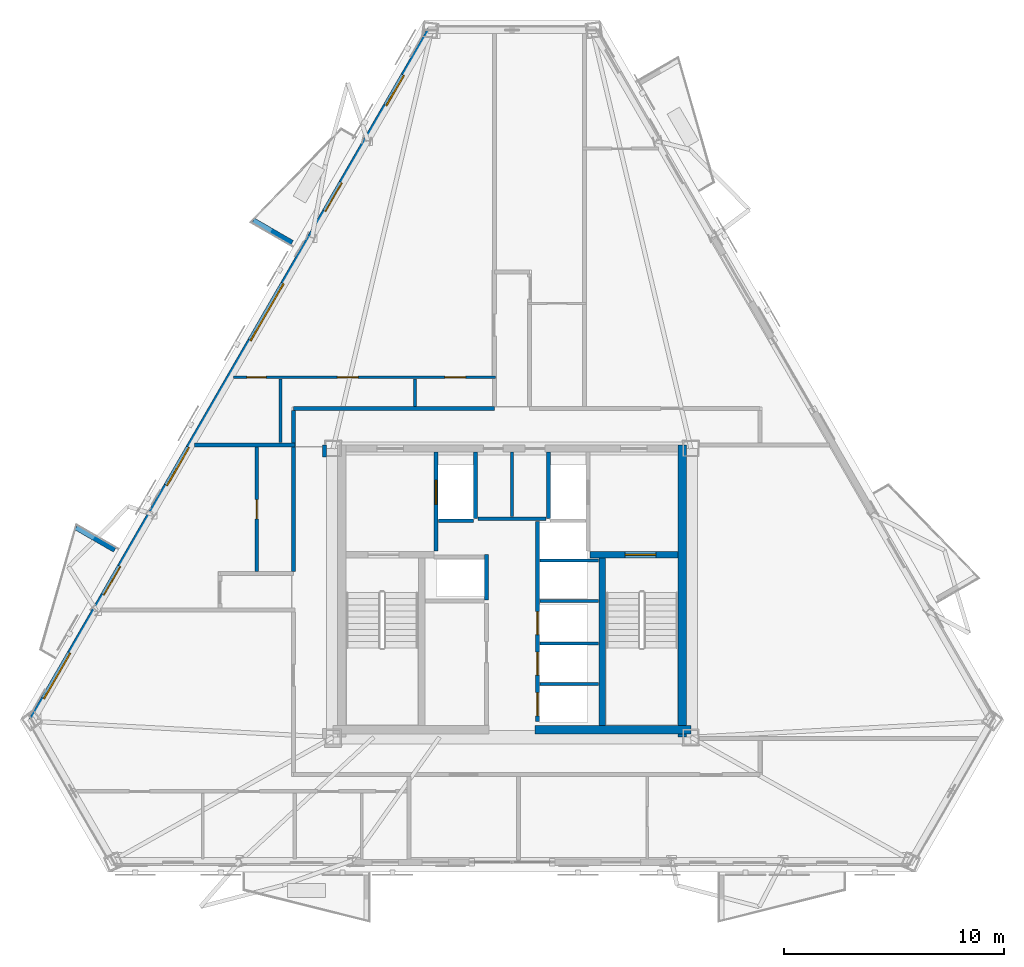
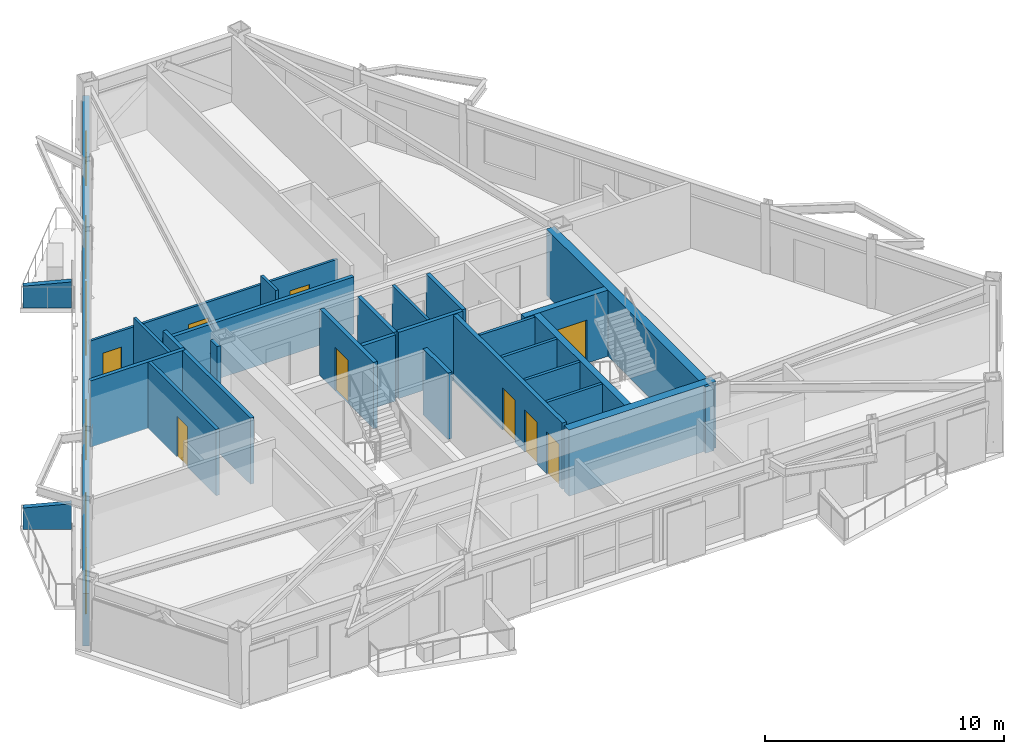
# One storey, part 7 of 13: 27 walls, 11 doors, 4 windows, 15 openings.
"""IFC4 building model written with IfcOpenShell, lengths in metres."""

from ifc_helpers import new_model, si_unit, direction, frame, frame_2d, origin, place, context, subcontext, project, spatial, polyline, rectangle, outline, extrude, material, layer, layer_set, type_object, element, fill, save


model = new_model("IFC4")

# Units and contexts
model_context = context("Model", 3, precision=1e-05, world=origin(), true_north=direction((0.0, 1.0)))
body_context = subcontext(model_context, "Body", "Model", "MODEL_VIEW")
ifc_project = project(units=[si_unit("LENGTHUNIT", "METRE"), si_unit("AREAUNIT", "SQUARE_METRE"), si_unit("VOLUMEUNIT", "CUBIC_METRE"), si_unit("PLANEANGLEUNIT", "RADIAN"), si_unit("MASSUNIT", "GRAM", prefix="KILO")], contexts=[model_context])

# Site, building, storey
site_placement = place(None, origin())
site = spatial("IfcSite", under=ifc_project, at=site_placement, CompositionType="ELEMENT")
building_placement = place(site_placement, origin())
building = spatial("IfcBuilding", under=site, at=building_placement, Name="Oramaril Tower", CompositionType="ELEMENT")
storey_placement = place(building_placement, frame((0.0, 0.0, 197.39990234375)))
storey = spatial("IfcBuildingStorey", under=building, at=storey_placement, Name="L52", CompositionType="ELEMENT", Elevation=197.39990234375)

# Wall, openings, doors, windows
ifc_material_1 = material(Name="Warm Cream Limestone", Category="masonry")
ifc_layer_1 = layer(ifc_material_1, 0.2900390625)
ifc_layer_set_1 = layer_set([ifc_layer_1], Name="WT-EXT29")
wall_type_1 = type_object("IfcWallType", Name="WT-EXT29", PredefinedType="SOLIDWALL", material=ifc_layer_set_1)
wall_1_placement = place(storey_placement, frame((33.76611328125, 43.2099609375, 0.0), z_axis=(0.0, 0.0, 1.0), x_axis=(-0.499998847915, -0.86602606894, 0.0)))
wall_1 = element("IfcWall", 1, at=wall_1_placement, inside=storey, type_object=wall_type_1, Name="L52 Tower Limestone Facade Wall 6M", PredefinedType="SOLIDWALL", context=body_context, shape_type="SweptSolid", body=[
    extrude(rectangle(XDim=36.29345703125, YDim=0.2900390625, at=frame_2d((18.146728515625, 0.0))), origin(), (0.0, 0.0, 1.0), 2.677001953125),
])
opening_1_placement = place(wall_1_placement, frame((8.034423828125, 0.0, 0.0)))
opening_1 = element("IfcOpeningElement", 2, at=opening_1_placement, cuts=wall_1, Name="Opening D-L52-BAL-NW1", PredefinedType="OPENING", context=body_context, shape_type="SweptSolid", body=[
    extrude(rectangle(XDim=1.5, YDim=2.199951171875, at=frame_2d((0.75, 1.10009765625))), frame((0.0, 0.14501953125, 0.0), z_axis=(0.0, -1.0, 0.0), x_axis=(1.0, 0.0, 0.0)), (0.0, 0.0, 1.0), 0.2900390625),
])
opening_2_placement = place(wall_1_placement, frame((28.214111328125, 0.0, 0.0)))
opening_2 = element("IfcOpeningElement", 3, at=opening_2_placement, cuts=wall_1, Name="Opening D-L52-BAL-NW2", PredefinedType="OPENING", context=body_context, shape_type="SweptSolid", body=[
    extrude(rectangle(XDim=1.5, YDim=2.199951171875, at=frame_2d((0.75, 1.10009765625))), frame((0.0, 0.14501953125, 0.0), z_axis=(0.0, -1.0, 0.0), x_axis=(1.0, 0.0, 0.0)), (0.0, 0.0, 1.0), 0.2900390625),
])
opening_3_placement = place(wall_1_placement, frame((32.772216796875, 0.0, 0.85009765625)))
opening_3 = element("IfcOpeningElement", 4, at=opening_3_placement, cuts=wall_1, Name="Opening WN-03", PredefinedType="OPENING", context=body_context, shape_type="SweptSolid", body=[
    extrude(rectangle(XDim=2.39990234375, YDim=1.717041015625, at=frame_2d((1.199951171875, 0.8583984375))), frame((0.0, 0.14501953125, 0.0), z_axis=(0.0, -1.0, 0.0), x_axis=(1.0, 0.0, 0.0)), (0.0, 0.0, 1.0), 0.2900390625),
])
opening_4_placement = place(wall_1_placement, frame((21.960205078125, 0.0, 0.85009765625)))
opening_4 = element("IfcOpeningElement", 5, at=opening_4_placement, cuts=wall_1, Name="Opening WN-05", PredefinedType="OPENING", context=body_context, shape_type="SweptSolid", body=[
    extrude(rectangle(XDim=2.0, YDim=1.717041015625, at=frame_2d((1.0, 0.8583984375))), frame((0.0, 0.14501953125, 0.0), z_axis=(0.0, -1.0, 0.0), x_axis=(1.0, 0.0, 0.0)), (0.0, 0.0, 1.0), 0.2900390625),
])
opening_5_placement = place(wall_1_placement, frame((2.381591796875, 0.0, 0.85009765625)))
opening_5 = element("IfcOpeningElement", 6, at=opening_5_placement, cuts=wall_1, Name="Opening WN-07", PredefinedType="OPENING", context=body_context, shape_type="SweptSolid", body=[
    extrude(rectangle(XDim=1.60009765625, YDim=1.699951171875, at=frame_2d((0.800048828125, 0.85009765625))), frame((0.0, 0.14501953125, 0.0), z_axis=(0.0, -1.0, 0.0), x_axis=(1.0, 0.0, 0.0)), (0.0, 0.0, 1.0), 0.2900390625),
])
opening_6_placement = place(wall_1_placement, frame((13.340087890625, 0.0, 0.85009765625)))
opening_6 = element("IfcOpeningElement", 7, at=opening_6_placement, cuts=wall_1, Name="Opening WN-10", PredefinedType="OPENING", context=body_context, shape_type="SweptSolid", body=[
    extrude(rectangle(XDim=3.0, YDim=1.717041015625, at=frame_2d((1.5, 0.8583984375))), frame((0.0, 0.14501953125, 0.0), z_axis=(0.0, -1.0, 0.0), x_axis=(1.0, 0.0, 0.0)), (0.0, 0.0, 1.0), 0.2900390625),
])
ifc_material_2 = material(Name="Anodised Aluminium 6063-T6", Category="aluminium")
door_type_1 = type_object("IfcDoorType", Name="DT-BAL", OperationType="NOTDEFINED", PredefinedType="DOOR", material=ifc_material_2)
door_1_placement = place(opening_1_placement, origin())
door_1 = element("IfcDoor", 8, at=door_1_placement, inside=storey, type_object=door_type_1, Name="L52 Balcony Glazed Door L52-BAL-NW1", OperationType="SINGLE_SWING_LEFT", OverallHeight=2.199951171875, OverallWidth=1.5, PredefinedType="DOOR", context=body_context, shape_type="SweptSolid", body=[
    extrude(rectangle(XDim=1.5, YDim=2.199951171875, at=frame_2d((0.75, 1.10009765625))), frame((0.0, 0.02490234375, 0.0), z_axis=(0.0, -1.0, 0.0), x_axis=(1.0, 0.0, 0.0)), (0.0, 0.0, 1.0), 0.050048828125),
])
fill(opening_1, door_1)
door_2_placement = place(opening_2_placement, origin())
door_2 = element("IfcDoor", 9, at=door_2_placement, inside=storey, type_object=door_type_1, Name="L52 Balcony Glazed Door L52-BAL-NW2", OperationType="SINGLE_SWING_RIGHT", OverallHeight=2.199951171875, OverallWidth=1.5, PredefinedType="DOOR", context=body_context, shape_type="SweptSolid", body=[
    extrude(rectangle(XDim=1.5, YDim=2.199951171875, at=frame_2d((0.75, 1.10009765625))), frame((0.0, 0.02490234375, 0.0), z_axis=(0.0, -1.0, 0.0), x_axis=(1.0, 0.0, 0.0)), (0.0, 0.0, 1.0), 0.050048828125),
])
fill(opening_2, door_2)
ifc_material_3 = material(Name="Coastal Low-E Insulated Glass", Category="glass")
window_type_1 = type_object("IfcWindowType", Name="WNT-03", PartitioningType="SINGLE_PANEL", PredefinedType="WINDOW", material=ifc_material_3)
window_1_placement = place(opening_3_placement, origin())
window_1 = element("IfcWindow", 10, at=window_1_placement, inside=storey, type_object=window_type_1, Name="L52 Chicago Bay Window WN-03", OverallHeight=1.717041015625, OverallWidth=2.39990234375, PartitioningType="SINGLE_PANEL", PredefinedType="WINDOW", context=body_context, shape_type="SweptSolid", body=[
    extrude(rectangle(XDim=2.39990234375, YDim=1.717041015625, at=frame_2d((1.199951171875, 0.8583984375))), frame((0.0, 0.030029296875, 0.0), z_axis=(0.0, -1.0, 0.0), x_axis=(1.0, 0.0, 0.0)), (0.0, 0.0, 1.0), 0.06005859375),
])
fill(opening_3, window_1)
ifc_material_4 = material(Name="Coastal Low-E Insulated Glass", Category="glass")
window_type_2 = type_object("IfcWindowType", Name="WNT-05", PartitioningType="SINGLE_PANEL", PredefinedType="WINDOW", material=ifc_material_4)
window_2_placement = place(opening_4_placement, origin())
window_2 = element("IfcWindow", 11, at=window_2_placement, inside=storey, type_object=window_type_2, Name="L52 Chicago Bay Window WN-05", OverallHeight=1.717041015625, OverallWidth=2.0, PartitioningType="SINGLE_PANEL", PredefinedType="WINDOW", context=body_context, shape_type="SweptSolid", body=[
    extrude(rectangle(XDim=2.0, YDim=1.717041015625, at=frame_2d((1.0, 0.8583984375))), frame((0.0, 0.030029296875, 0.0), z_axis=(0.0, -1.0, 0.0), x_axis=(1.0, 0.0, 0.0)), (0.0, 0.0, 1.0), 0.06005859375),
])
fill(opening_4, window_2)
ifc_material_5 = material(Name="Coastal Low-E Insulated Glass", Category="glass")
window_type_3 = type_object("IfcWindowType", Name="WNT-07", PartitioningType="SINGLE_PANEL", PredefinedType="WINDOW", material=ifc_material_5)
window_3_placement = place(opening_5_placement, origin())
window_3 = element("IfcWindow", 12, at=window_3_placement, inside=storey, type_object=window_type_3, Name="L52 Chicago Bay Window WN-07", OverallHeight=1.699951171875, OverallWidth=1.60009765625, PartitioningType="SINGLE_PANEL", PredefinedType="WINDOW", context=body_context, shape_type="SweptSolid", body=[
    extrude(rectangle(XDim=1.60009765625, YDim=1.699951171875, at=frame_2d((0.800048828125, 0.85009765625))), frame((0.0, 0.030029296875, 0.0), z_axis=(0.0, -1.0, 0.0), x_axis=(1.0, 0.0, 0.0)), (0.0, 0.0, 1.0), 0.06005859375),
])
fill(opening_5, window_3)
ifc_material_6 = material(Name="Coastal Low-E Insulated Glass", Category="glass")
window_type_4 = type_object("IfcWindowType", Name="WNT-10", PartitioningType="SINGLE_PANEL", PredefinedType="WINDOW", material=ifc_material_6)
window_4_placement = place(opening_6_placement, origin())
window_4 = element("IfcWindow", 13, at=window_4_placement, inside=storey, type_object=window_type_4, Name="L52 Chicago Bay Window WN-10", OverallHeight=1.717041015625, OverallWidth=3.0, PartitioningType="SINGLE_PANEL", PredefinedType="WINDOW", context=body_context, shape_type="SweptSolid", body=[
    extrude(rectangle(XDim=3.0, YDim=1.717041015625, at=frame_2d((1.5, 0.8583984375))), frame((0.0, 0.030029296875, 0.0), z_axis=(0.0, -1.0, 0.0), x_axis=(1.0, 0.0, 0.0)), (0.0, 0.0, 1.0), 0.06005859375),
])
fill(opening_6, window_4)

# Walls
ifc_material_7 = material(Name="Concrete C40/50", Category="concrete")
ifc_layer_2 = layer(ifc_material_7, 0.22998046875)
ifc_layer_set_2 = layer_set([ifc_layer_2], Name="WT-PRP23")
wall_type_2 = type_object("IfcWallType", Name="WT-PRP23", PredefinedType="PARAPET", material=ifc_layer_set_2)
for number, where, z_axis, x_axis, name in (
    (14, (27.483642578125, 33.524169921875, 0.0), (0.0, 0.0, 1.0), (-0.866042246008, 0.499970827278, 0.0), "L52 Trapezoidal Balcony Frame Cheek L52-BAL-NW1-R"),
    (15, (19.40380859375, 19.529296875, 0.0), (0.0, 0.0, 1.0), (-0.866042246008, 0.499970827278, 0.0), "L52 Trapezoidal Balcony Frame Cheek L52-BAL-NW2-L"),
):
    element("IfcWall", number, at=place(storey_placement, frame(where, z_axis=z_axis, x_axis=x_axis)), inside=storey, type_object=wall_type_2, Name=name, PredefinedType="PARAPET", context=body_context, shape_type="SweptSolid", body=[
        extrude(outline(polyline([(0.0, 0.0), (2.0419921875, 0.0), (2.0419921875, 1.10009765625), (0.0, 1.320068359375), (0.0, 0.0)])), frame((0.0, 0.114990234375, 0.0), z_axis=(0.0, -1.0, 0.0), x_axis=(1.0, 0.0, 0.0)), (0.0, 0.0, 1.0), 0.22998046875),
    ])

# Wall, openings, doors
ifc_material_8 = material(Name="Acoustic Gypsum Board Partition")
ifc_layer_3 = layer(ifc_material_8, 0.1201171875)
ifc_layer_set_3 = layer_set([ifc_layer_3], Name="WT-PT12")
wall_type_3 = type_object("IfcWallType", Name="WT-PT12", PredefinedType="PARTITIONING", material=ifc_layer_set_3)
wall_2_placement = place(storey_placement, frame((24.8046875, 27.389892578125, 0.0), z_axis=(0.0, 0.0, 1.0), x_axis=(1.0, 0.0, 0.0)))
wall_2 = element("IfcWall", 16, at=wall_2_placement, inside=storey, type_object=wall_type_3, Name="L52 Interior Partition PT-12", PredefinedType="PARTITIONING", context=body_context, shape_type="SweptSolid", body=[
    extrude(rectangle(XDim=11.9453125, YDim=0.1201171875, at=frame_2d((5.97265625, 0.0))), origin(), (0.0, 0.0, 1.0), 2.9130859375),
])
opening_7_placement = place(wall_2_placement, frame((0.6162109375, 0.0, 0.0)))
opening_7 = element("IfcOpeningElement", 17, at=opening_7_placement, cuts=wall_2, Name="Opening D-L52-08", PredefinedType="OPENING", context=body_context, shape_type="SweptSolid", body=[
    extrude(rectangle(XDim=0.8798828125, YDim=2.080078125, at=frame_2d((0.43994140625, 1.0400390625))), frame((0.0, 0.06005859375, 0.0), z_axis=(0.0, -1.0, 0.0), x_axis=(1.0, 0.0, 0.0)), (0.0, 0.0, 1.0), 0.1201171875),
])
opening_8_placement = place(wall_2_placement, frame((4.740234375, 0.0, 0.0)))
opening_8 = element("IfcOpeningElement", 18, at=opening_8_placement, cuts=wall_2, Name="Opening D-L52-09", PredefinedType="OPENING", context=body_context, shape_type="SweptSolid", body=[
    extrude(rectangle(XDim=0.949951171875, YDim=2.10009765625, at=frame_2d((0.47509765625, 1.050048828125))), frame((0.0, 0.06005859375, 0.0), z_axis=(0.0, -1.0, 0.0), x_axis=(1.0, 0.0, 0.0)), (0.0, 0.0, 1.0), 0.1201171875),
])
opening_9_placement = place(wall_2_placement, frame((9.632080078125, 0.0, 0.0)))
opening_9 = element("IfcOpeningElement", 19, at=opening_9_placement, cuts=wall_2, Name="Opening D-L52-10", PredefinedType="OPENING", context=body_context, shape_type="SweptSolid", body=[
    extrude(rectangle(XDim=0.949951171875, YDim=2.10009765625, at=frame_2d((0.47509765625, 1.050048828125))), frame((0.0, 0.06005859375, 0.0), z_axis=(0.0, -1.0, 0.0), x_axis=(1.0, 0.0, 0.0)), (0.0, 0.0, 1.0), 0.1201171875),
])
ifc_material_9 = material(Name="FSC Brazilian Freijo Hardwood", Category="wood")
door_type_2 = type_object("IfcDoorType", Name="DT-BATH", OperationType="NOTDEFINED", PredefinedType="DOOR", material=ifc_material_9)
door_3_placement = place(opening_7_placement, origin())
door_3 = element("IfcDoor", 20, at=door_3_placement, inside=storey, type_object=door_type_2, Name="L52 Flat L52-U5 Bathroom Door D-L52-08", OperationType="SINGLE_SWING_RIGHT", OverallHeight=2.080078125, OverallWidth=0.8798828125, PredefinedType="DOOR", context=body_context, shape_type="SweptSolid", body=[
    extrude(rectangle(XDim=0.8798828125, YDim=2.080078125, at=frame_2d((0.43994140625, 1.0400390625))), frame((0.0, 0.02490234375, 0.0), z_axis=(0.0, -1.0, 0.0), x_axis=(1.0, 0.0, 0.0)), (0.0, 0.0, 1.0), 0.050048828125),
])
fill(opening_7, door_3)
ifc_material_10 = material(Name="FSC Brazilian Freijo Hardwood", Category="wood")
door_type_3 = type_object("IfcDoorType", Name="DT-STDY", OperationType="NOTDEFINED", PredefinedType="DOOR", material=ifc_material_10)
door_4_placement = place(opening_8_placement, origin())
door_4 = element("IfcDoor", 21, at=door_4_placement, inside=storey, type_object=door_type_3, Name="L52 Flat L52-U5 Kitchen Door D-L52-09", OperationType="SINGLE_SWING_LEFT", OverallHeight=2.10009765625, OverallWidth=0.949951171875, PredefinedType="DOOR", context=body_context, shape_type="SweptSolid", body=[
    extrude(rectangle(XDim=0.949951171875, YDim=2.10009765625, at=frame_2d((0.47509765625, 1.050048828125))), frame((0.0, 0.02490234375, 0.0), z_axis=(0.0, -1.0, 0.0), x_axis=(1.0, 0.0, 0.0)), (0.0, 0.0, 1.0), 0.050048828125),
])
fill(opening_8, door_4)
door_5_placement = place(opening_9_placement, origin())
door_5 = element("IfcDoor", 22, at=door_5_placement, inside=storey, type_object=door_type_3, Name="L52 Flat L52-U5 Breakfast Dining Room Door D-L52-10", OperationType="SINGLE_SWING_RIGHT", OverallHeight=2.10009765625, OverallWidth=0.949951171875, PredefinedType="DOOR", context=body_context, shape_type="SweptSolid", body=[
    extrude(rectangle(XDim=0.949951171875, YDim=2.10009765625, at=frame_2d((0.47509765625, 1.050048828125))), frame((0.0, 0.02490234375, 0.0), z_axis=(0.0, -1.0, 0.0), x_axis=(1.0, 0.0, 0.0)), (0.0, 0.0, 1.0), 0.050048828125),
])
fill(opening_9, door_5)

# Walls
ifc_material_11 = material(Name="Acoustic Gypsum Board Partition")
ifc_layer_4 = layer(ifc_material_11, 0.139892578125)
ifc_layer_set_4 = layer_set([ifc_layer_4], Name="WT-PT14")
wall_type_4 = type_object("IfcWallType", Name="WT-PT14", PredefinedType="PARTITIONING", material=ifc_layer_set_4)
for number, where, z_axis, x_axis, name in (
    (23, (38.780029296875, 13.419921875, 0.0), (0.0, 0.0, 1.0), (1.0, 0.0, 0.0), "L52 East Lift Divider"),
    (24, (38.780029296875, 15.27001953125, 0.0), (0.0, 0.0, 1.0), (1.0, 0.0, 0.0), "L52 East Lift Divider"),
    (25, (38.780029296875, 17.199951171875, 0.0), (0.0, 0.0, 1.0), (1.0, 0.0, 0.0), "L52 East Lift Divider"),
    (26, (38.780029296875, 19.050048828125, 0.0), (0.0, 0.0, 1.0), (1.0, 0.0, 0.0), "L52 East Lift Divider"),
):
    element("IfcWall", number, at=place(storey_placement, frame(where, z_axis=z_axis, x_axis=x_axis)), inside=storey, type_object=wall_type_4, Name=name, PredefinedType="PARTITIONING", context=body_context, shape_type="SweptSolid", body=[
        extrude(rectangle(XDim=2.659912109375, YDim=0.139892578125, at=frame_2d((1.330078125, 0.0))), origin(), (0.0, 0.0, 1.0), 3.380126953125),
    ])
wall_3_placement = place(storey_placement, frame((37.5, 21.06005859375, 0.0), z_axis=(0.0, 0.0, 1.0), x_axis=(0.0, 1.0, 0.0)))
element("IfcWall", 27, at=wall_3_placement, inside=storey, type_object=wall_type_4, Name="L52 Core Service Divider", PredefinedType="PARTITIONING", context=body_context, shape_type="SweptSolid", body=[
    extrude(rectangle(XDim=2.919921875, YDim=0.139892578125, at=frame_2d((1.4599609375, 0.0))), origin(), (0.0, 0.0, 1.0), 3.380126953125),
])
wall_4_placement = place(storey_placement, frame((26.949951171875, 24.4140625, 0.0), z_axis=(0.0, 0.0, 1.0), x_axis=(0.0, 1.0, 0.0)))
element("IfcWall", 28, at=wall_4_placement, inside=storey, type_object=wall_type_4, Name="L52 Interior Partition PT-14", PredefinedType="PARTITIONING", context=body_context, shape_type="SweptSolid", body=[
    extrude(rectangle(XDim=2.911865234375, YDim=0.139892578125, at=frame_2d((1.4560546875, 0.0))), origin(), (0.0, 0.0, 1.0), 3.380126953125),
])
wall_5_placement = place(storey_placement, frame((33.090087890625, 26.06396484375, 0.0), z_axis=(0.0, 0.0, 1.0), x_axis=(0.0, 1.0, 0.0)))
element("IfcWall", 29, at=wall_5_placement, inside=storey, type_object=wall_type_4, Name="L52 Interior Partition PT-14", PredefinedType="PARTITIONING", context=body_context, shape_type="SweptSolid", body=[
    extrude(rectangle(XDim=1.261962890625, YDim=0.139892578125, at=frame_2d((0.630859375, 0.0))), origin(), (0.0, 0.0, 1.0), 3.380126953125),
])

# Wall, opening, door
ifc_material_12 = material(Name="Acoustic Gypsum Board Partition")
ifc_layer_5 = layer(ifc_material_12, 0.159912109375)
ifc_layer_set_5 = layer_set([ifc_layer_5], Name="WT-PT16")
wall_type_5 = type_object("IfcWallType", Name="WT-PT16", PredefinedType="PARTITIONING", material=ifc_layer_set_5)
wall_6_placement = place(storey_placement, frame((25.8798828125, 18.5439453125, 0.0), z_axis=(0.0, 0.0, 1.0), x_axis=(0.0, 1.0, 0.0)))
wall_6 = element("IfcWall", 30, at=wall_6_placement, inside=storey, type_object=wall_type_5, Name="L52 Interior Partition PT-16", PredefinedType="PARTITIONING", context=body_context, shape_type="SweptSolid", body=[
    extrude(rectangle(XDim=5.68212890625, YDim=0.159912109375, at=frame_2d((2.841064453125, 0.0))), origin(), (0.0, 0.0, 1.0), 3.380126953125),
])
opening_10_placement = place(wall_6_placement, frame((2.40087890625, 0.0, 0.0)))
opening_10 = element("IfcOpeningElement", 31, at=opening_10_placement, cuts=wall_6, Name="Opening D-L52-14", PredefinedType="OPENING", context=body_context, shape_type="SweptSolid", body=[
    extrude(rectangle(XDim=0.8798828125, YDim=2.080078125, at=frame_2d((0.43994140625, 1.0400390625))), frame((0.0, 0.080078125, 0.0), z_axis=(0.0, -1.0, 0.0), x_axis=(1.0, 0.0, 0.0)), (0.0, 0.0, 1.0), 0.159912109375),
])
door_6_placement = place(opening_10_placement, origin())
door_6 = element("IfcDoor", 32, at=door_6_placement, inside=storey, type_object=door_type_2, Name="L52 Flat L52-U3 Bathroom Door D-L52-14", OperationType="SINGLE_SWING_RIGHT", OverallHeight=2.080078125, OverallWidth=0.8798828125, PredefinedType="DOOR", context=body_context, shape_type="SweptSolid", body=[
    extrude(rectangle(XDim=0.8798828125, YDim=2.080078125, at=frame_2d((0.43994140625, 1.0400390625))), frame((0.0, 0.02490234375, 0.0), z_axis=(0.0, -1.0, 0.0), x_axis=(1.0, 0.0, 0.0)), (0.0, 0.0, 1.0), 0.050048828125),
])
fill(opening_10, door_6)

# Walls
ifc_material_13 = material(Name="Autoclaved Cellular Concrete Block", Category="concrete")
ifc_layer_6 = layer(ifc_material_13, 0.179931640625)
ifc_layer_set_6 = layer_set([ifc_layer_6], Name="WT-PT18")
wall_type_6 = type_object("IfcWallType", Name="WT-PT18", PredefinedType="PARTITIONING", material=ifc_layer_set_6)
wall_7_placement = place(storey_placement, frame((35.840087890625, 20.9599609375, 0.0), z_axis=(0.0, 0.0, 1.0), x_axis=(0.0, 1.0, 0.0)))
element("IfcWall", 33, at=wall_7_placement, inside=storey, type_object=wall_type_6, Name="L52 FL-1 East Shaft Wall", PredefinedType="PARTITIONING", context=body_context, shape_type="SweptSolid", body=[
    extrude(rectangle(XDim=3.02001953125, YDim=0.179931640625, at=frame_2d((1.510009765625, 0.0))), origin(), (0.0, 0.0, 1.0), 3.380126953125),
])
wall_8_placement = place(storey_placement, frame((34.159912109375, 20.860107421875, 0.0), z_axis=(0.0, 0.0, 1.0), x_axis=(1.0, 0.0, 0.0)))
element("IfcWall", 34, at=wall_8_placement, inside=storey, type_object=wall_type_6, Name="L52 FL-1 South Shaft Wall", PredefinedType="PARTITIONING", context=body_context, shape_type="SweptSolid", body=[
    extrude(rectangle(XDim=1.580078125, YDim=0.179931640625, at=frame_2d((0.7900390625, 0.0))), origin(), (0.0, 0.0, 1.0), 3.380126953125),
])
wall_9_placement = place(storey_placement, frame((39.159912109375, 20.9599609375, 0.0), z_axis=(0.0, 0.0, 1.0), x_axis=(0.0, 1.0, 0.0)))
element("IfcWall", 35, at=wall_9_placement, inside=storey, type_object=wall_type_6, Name="L52 FL-2 West Shaft Wall", PredefinedType="PARTITIONING", context=body_context, shape_type="SweptSolid", body=[
    extrude(rectangle(XDim=3.02001953125, YDim=0.179931640625, at=frame_2d((1.510009765625, 0.0))), origin(), (0.0, 0.0, 1.0), 3.380126953125),
])
wall_10_placement = place(storey_placement, frame((35.949951171875, 20.949951171875, 0.0), z_axis=(0.0, 0.0, 1.0), x_axis=(1.0, 0.0, 0.0)))
element("IfcWall", 36, at=wall_10_placement, inside=storey, type_object=wall_type_6, Name="L52 Lift Lobby North Partition", PredefinedType="PARTITIONING", context=body_context, shape_type="SweptSolid", body=[
    extrude(rectangle(XDim=3.10009765625, YDim=0.179931640625, at=frame_2d((1.550048828125, 0.0))), origin(), (0.0, 0.0, 1.0), 3.380126953125),
])
wall_11_placement = place(storey_placement, frame((23.0322265625, 24.320068359375, 0.0), z_axis=(0.0, 0.0, 1.0), x_axis=(1.0, 0.0, 0.0)))
element("IfcWall", 37, at=wall_11_placement, inside=storey, type_object=wall_type_6, Name="L52 Interior Partition PT-18", PredefinedType="PARTITIONING", context=body_context, shape_type="SweptSolid", body=[
    extrude(rectangle(XDim=4.577880859375, YDim=0.179931640625, at=frame_2d((2.2890625, 0.0))), origin(), (0.0, 0.0, 1.0), 3.380126953125),
])
wall_12_placement = place(storey_placement, frame((27.550048828125, 25.969970703125, 0.0), z_axis=(0.0, 0.0, 1.0), x_axis=(1.0, 0.0, 0.0)))
element("IfcWall", 38, at=wall_12_placement, inside=storey, type_object=wall_type_6, Name="L52 Interior Partition PT-18", PredefinedType="PARTITIONING", context=body_context, shape_type="SweptSolid", body=[
    extrude(rectangle(XDim=9.14990234375, YDim=0.179931640625, at=frame_2d((4.574951171875, 0.0))), origin(), (0.0, 0.0, 1.0), 2.9130859375),
])
wall_13_placement = place(storey_placement, frame((27.550048828125, 18.5439453125, 0.0), z_axis=(0.0, 0.0, 1.0), x_axis=(0.0, 1.0, 0.0)))
element("IfcWall", 39, at=wall_13_placement, inside=storey, type_object=wall_type_6, Name="L52 Interior Partition PT-18", PredefinedType="PARTITIONING", context=body_context, shape_type="SweptSolid", body=[
    extrude(rectangle(XDim=7.33203125, YDim=0.179931640625, at=frame_2d((3.666015625, 0.0))), origin(), (0.0, 0.0, 1.0), 3.380126953125),
])
wall_14_placement = place(storey_placement, frame((28.949951171875, 23.7548828125, 0.0), z_axis=(0.0, 0.0, 1.0), x_axis=(0.0, 1.0, 0.0)))
element("IfcWall", 40, at=wall_14_placement, inside=storey, type_object=wall_type_6, Name="L52 Interior Partition PT-18", PredefinedType="PARTITIONING", context=body_context, shape_type="SweptSolid", body=[
    extrude(rectangle(XDim=0.565185546875, YDim=0.179931640625, at=frame_2d((0.28271484375, 0.0))), origin(), (0.0, 0.0, 1.0), 3.380126953125),
])

# Wall, opening, door
ifc_material_14 = material(Name="Concrete C50/60", Category="concrete")
ifc_layer_7 = layer(ifc_material_14, 0.300048828125)
ifc_layer_set_7 = layer_set([ifc_layer_7], Name="WT-SH30")
wall_type_7 = type_object("IfcWallType", Name="WT-SH30", PredefinedType="SHEAR", material=ifc_layer_set_7)
wall_15_placement = place(storey_placement, frame((41.050048828125, 19.31005859375, 0.0), z_axis=(0.0, 0.0, 1.0), x_axis=(1.0, 0.0, 0.0)))
wall_15 = element("IfcWall", 41, at=wall_15_placement, inside=storey, type_object=wall_type_7, Name="L52 Core Shear Wall CW-ST2N", PredefinedType="SHEAR", context=body_context, shape_type="SweptSolid", body=[
    extrude(rectangle(XDim=4.010009765625, YDim=0.300048828125, at=frame_2d((2.0048828125, 0.0))), origin(), (0.0, 0.0, 1.0), 3.380126953125),
])
opening_11_placement = place(wall_15_placement, frame((1.60009765625, 0.0, 0.0)))
opening_11 = element("IfcOpeningElement", 42, at=opening_11_placement, cuts=wall_15, Name="Opening D-L52-ST2", PredefinedType="OPENING", context=body_context, shape_type="SweptSolid", body=[
    extrude(rectangle(XDim=1.39990234375, YDim=2.199951171875, at=frame_2d((0.699951171875, 1.10009765625))), frame((0.0, 0.14990234375, 0.0), z_axis=(0.0, -1.0, 0.0), x_axis=(1.0, 0.0, 0.0)), (0.0, 0.0, 1.0), 0.300048828125),
])
ifc_material_15 = material(Name="Painted Galvanised Steel", Category="steel")
door_type_4 = type_object("IfcDoorType", Name="DT-ST", OperationType="NOTDEFINED", PredefinedType="DOOR", material=ifc_material_15)
door_7_placement = place(opening_11_placement, origin())
door_7 = element("IfcDoor", 43, at=door_7_placement, inside=storey, type_object=door_type_4, Name="L52 Protected Stair ST-2 Fire Door", OperationType="SINGLE_SWING_RIGHT", OverallHeight=2.199951171875, OverallWidth=1.39990234375, PredefinedType="DOOR", context=body_context, shape_type="SweptSolid", body=[
    extrude(rectangle(XDim=1.39990234375, YDim=2.199951171875, at=frame_2d((0.699951171875, 1.10009765625))), frame((0.0, 0.02490234375, 0.0), z_axis=(0.0, -1.0, 0.0), x_axis=(1.0, 0.0, 0.0)), (0.0, 0.0, 1.0), 0.050048828125),
])
fill(opening_11, door_7)

# Walls
wall_16_placement = place(storey_placement, frame((41.6201171875, 11.5400390625, 0.0), z_axis=(0.0, 0.0, 1.0), x_axis=(0.0, 1.0, 0.0)))
element("IfcWall", 44, at=wall_16_placement, inside=storey, type_object=wall_type_7, Name="L52 Core Shear Wall CW-ST2W", PredefinedType="SHEAR", context=body_context, shape_type="SweptSolid", body=[
    extrude(rectangle(XDim=7.619873046875, YDim=0.300048828125, at=frame_2d((3.81005859375, 0.0))), origin(), (0.0, 0.0, 1.0), 3.380126953125),
])
ifc_material_16 = material(Name="Concrete C50/60", Category="concrete")
ifc_layer_8 = layer(ifc_material_16, 0.39990234375)
ifc_layer_set_8 = layer_set([ifc_layer_8], Name="WT-SH40")
wall_type_8 = type_object("IfcWallType", Name="WT-SH40", PredefinedType="SHEAR", material=ifc_layer_set_8)
wall_17_placement = place(storey_placement, frame((45.260009765625, 11.0, 0.0), z_axis=(0.0, 0.0, 1.0), x_axis=(0.0, 1.0, 0.0)))
element("IfcWall", 45, at=wall_17_placement, inside=storey, type_object=wall_type_8, Name="L52 Core Shear Wall CW-E", PredefinedType="SHEAR", context=body_context, shape_type="SweptSolid", body=[
    extrude(rectangle(XDim=13.300048828125, YDim=0.39990234375, at=frame_2d((6.64990234375, 0.0))), origin(), (0.0, 0.0, 1.0), 3.380126953125),
])
wall_18_placement = place(storey_placement, frame((38.550048828125, 11.340087890625, 0.0), z_axis=(0.0, 0.0, 1.0), x_axis=(1.0, 0.0, 0.0)))
element("IfcWall", 46, at=wall_18_placement, inside=storey, type_object=wall_type_8, Name="L52 Core Shear Wall CW-SE", PredefinedType="SHEAR", context=body_context, shape_type="SweptSolid", body=[
    extrude(rectangle(XDim=7.099853515625, YDim=0.39990234375, at=frame_2d((3.5498046875, 0.0))), origin(), (0.0, 0.0, 1.0), 3.380126953125),
])

# Wall, opening, door
ifc_material_17 = material(Name="Autoclaved Cellular Concrete Block", Category="concrete")
ifc_layer_9 = layer(ifc_material_17, 0.199951171875)
ifc_layer_set_9 = layer_set([ifc_layer_9], Name="WT-SHF20")
wall_type_9 = type_object("IfcWallType", Name="WT-SHF20", PredefinedType="PARTITIONING", material=ifc_layer_set_9)
wall_19_placement = place(storey_placement, frame((34.0400390625, 19.47998046875, 0.0), z_axis=(0.0, 0.0, 1.0), x_axis=(0.0, 1.0, 0.0)))
wall_19 = element("IfcWall", 47, at=wall_19_placement, inside=storey, type_object=wall_type_9, Name="L52 FL-1 Lobby Shaft Wall", PredefinedType="PARTITIONING", context=body_context, shape_type="SweptSolid", body=[
    extrude(rectangle(XDim=4.5, YDim=0.199951171875, at=frame_2d((2.25, 0.0))), origin(), (0.0, 0.0, 1.0), 3.380126953125),
])
opening_12_placement = place(wall_19_placement, frame((2.1201171875, 0.0, 0.0)))
opening_12 = element("IfcOpeningElement", 48, at=opening_12_placement, cuts=wall_19, Name="Opening LD-L52-FL-1", PredefinedType="OPENING", context=body_context, shape_type="SweptSolid", body=[
    extrude(rectangle(XDim=1.10009765625, YDim=2.199951171875, at=frame_2d((0.550048828125, 1.10009765625))), frame((0.0, 0.10009765625, 0.0), z_axis=(0.0, -1.0, 0.0), x_axis=(1.0, 0.0, 0.0)), (0.0, 0.0, 1.0), 0.199951171875),
])
ifc_material_18 = material(Name="Stainless Steel 316L", Category="steel")
door_type_5 = type_object("IfcDoorType", Name="DT-LD1", OperationType="NOTDEFINED", PredefinedType="DOOR", material=ifc_material_18)
door_8_placement = place(opening_12_placement, origin())
door_8 = element("IfcDoor", 49, at=door_8_placement, inside=storey, type_object=door_type_5, Name="L52 Lift FL-1 Sliding Landing Door", OperationType="SLIDING_TO_LEFT", OverallHeight=2.199951171875, OverallWidth=1.10009765625, PredefinedType="DOOR", context=body_context, shape_type="SweptSolid", body=[
    extrude(rectangle(XDim=1.10009765625, YDim=2.199951171875, at=frame_2d((0.550048828125, 1.10009765625))), frame((0.0, 0.02490234375, 0.0), z_axis=(0.0, -1.0, 0.0), x_axis=(1.0, 0.0, 0.0)), (0.0, 0.0, 1.0), 0.050048828125),
])
fill(opening_12, door_8)

# Wall
wall_20_placement = place(storey_placement, frame((36.340087890625, 17.25, 0.0), z_axis=(0.0, 0.0, 1.0), x_axis=(0.0, 1.0, 0.0)))
element("IfcWall", 50, at=wall_20_placement, inside=storey, type_object=wall_type_9, Name="L52 High-Rise Lift H1 Front Wall", PredefinedType="PARTITIONING", context=body_context, shape_type="SweptSolid", body=[
    extrude(rectangle(XDim=2.070068359375, YDim=0.199951171875, at=frame_2d((1.03515625, 0.0))), origin(), (0.0, 0.0, 1.0), 3.380126953125),
])

# Wall, openings, doors
wall_21_placement = place(storey_placement, frame((38.659912109375, 11.719970703125, 0.0), z_axis=(0.0, 0.0, 1.0), x_axis=(0.0, 1.0, 0.0)))
wall_21 = element("IfcWall", 51, at=wall_21_placement, inside=storey, type_object=wall_type_9, Name="L52 East Lift Bank Front Wall", PredefinedType="PARTITIONING", context=body_context, shape_type="SweptSolid", body=[
    extrude(rectangle(XDim=9.10009765625, YDim=0.199951171875, at=frame_2d((4.550048828125, 0.0))), origin(), (0.0, 0.0, 1.0), 3.380126953125),
])
opening_13_placement = place(wall_21_placement, frame((0.2548828125, 0.0, 0.0)))
opening_13 = element("IfcOpeningElement", 52, at=opening_13_placement, cuts=wall_21, Name="Opening LD-L52-LP-M1", PredefinedType="OPENING", context=body_context, shape_type="SweptSolid", body=[
    extrude(rectangle(XDim=1.050048828125, YDim=2.14990234375, at=frame_2d((0.52490234375, 1.074951171875))), frame((0.0, 0.10009765625, 0.0), z_axis=(0.0, -1.0, 0.0), x_axis=(1.0, 0.0, 0.0)), (0.0, 0.0, 1.0), 0.199951171875),
])
opening_14_placement = place(wall_21_placement, frame((2.10498046875, 0.0, 0.0)))
opening_14 = element("IfcOpeningElement", 53, at=opening_14_placement, cuts=wall_21, Name="Opening LD-L52-LP-M2", PredefinedType="OPENING", context=body_context, shape_type="SweptSolid", body=[
    extrude(rectangle(XDim=1.050048828125, YDim=2.14990234375, at=frame_2d((0.52490234375, 1.074951171875))), frame((0.0, 0.10009765625, 0.0), z_axis=(0.0, -1.0, 0.0), x_axis=(1.0, 0.0, 0.0)), (0.0, 0.0, 1.0), 0.199951171875),
])
opening_15_placement = place(wall_21_placement, frame((3.955078125, 0.0, 0.0)))
opening_15 = element("IfcOpeningElement", 54, at=opening_15_placement, cuts=wall_21, Name="Opening LD-L52-LP-M3", PredefinedType="OPENING", context=body_context, shape_type="SweptSolid", body=[
    extrude(rectangle(XDim=1.050048828125, YDim=2.14990234375, at=frame_2d((0.52490234375, 1.074951171875))), frame((0.0, 0.10009765625, 0.0), z_axis=(0.0, -1.0, 0.0), x_axis=(1.0, 0.0, 0.0)), (0.0, 0.0, 1.0), 0.199951171875),
])
ifc_material_19 = material(Name="Stainless Steel 316L", Category="steel")
door_type_6 = type_object("IfcDoorType", Name="DT-LD2", OperationType="NOTDEFINED", PredefinedType="DOOR", material=ifc_material_19)
door_9_placement = place(opening_13_placement, origin())
door_9 = element("IfcDoor", 55, at=door_9_placement, inside=storey, type_object=door_type_6, Name="L52 Lift LP-M1 Sliding Landing Door", OperationType="SLIDING_TO_RIGHT", OverallHeight=2.14990234375, OverallWidth=1.050048828125, PredefinedType="DOOR", context=body_context, shape_type="SweptSolid", body=[
    extrude(rectangle(XDim=1.050048828125, YDim=2.14990234375, at=frame_2d((0.52490234375, 1.074951171875))), frame((0.0, 0.02490234375, 0.0), z_axis=(0.0, -1.0, 0.0), x_axis=(1.0, 0.0, 0.0)), (0.0, 0.0, 1.0), 0.050048828125),
])
fill(opening_13, door_9)
door_10_placement = place(opening_14_placement, origin())
door_10 = element("IfcDoor", 56, at=door_10_placement, inside=storey, type_object=door_type_6, Name="L52 Lift LP-M2 Sliding Landing Door", OperationType="SLIDING_TO_LEFT", OverallHeight=2.14990234375, OverallWidth=1.050048828125, PredefinedType="DOOR", context=body_context, shape_type="SweptSolid", body=[
    extrude(rectangle(XDim=1.050048828125, YDim=2.14990234375, at=frame_2d((0.52490234375, 1.074951171875))), frame((0.0, 0.02490234375, 0.0), z_axis=(0.0, -1.0, 0.0), x_axis=(1.0, 0.0, 0.0)), (0.0, 0.0, 1.0), 0.050048828125),
])
fill(opening_14, door_10)
door_11_placement = place(opening_15_placement, origin())
door_11 = element("IfcDoor", 57, at=door_11_placement, inside=storey, type_object=door_type_6, Name="L52 Lift LP-M3 Sliding Landing Door", OperationType="SLIDING_TO_RIGHT", OverallHeight=2.14990234375, OverallWidth=1.050048828125, PredefinedType="DOOR", context=body_context, shape_type="SweptSolid", body=[
    extrude(rectangle(XDim=1.050048828125, YDim=2.14990234375, at=frame_2d((0.52490234375, 1.074951171875))), frame((0.0, 0.02490234375, 0.0), z_axis=(0.0, -1.0, 0.0), x_axis=(1.0, 0.0, 0.0)), (0.0, 0.0, 1.0), 0.050048828125),
])
fill(opening_15, door_11)

save(model, "model.ifc")
